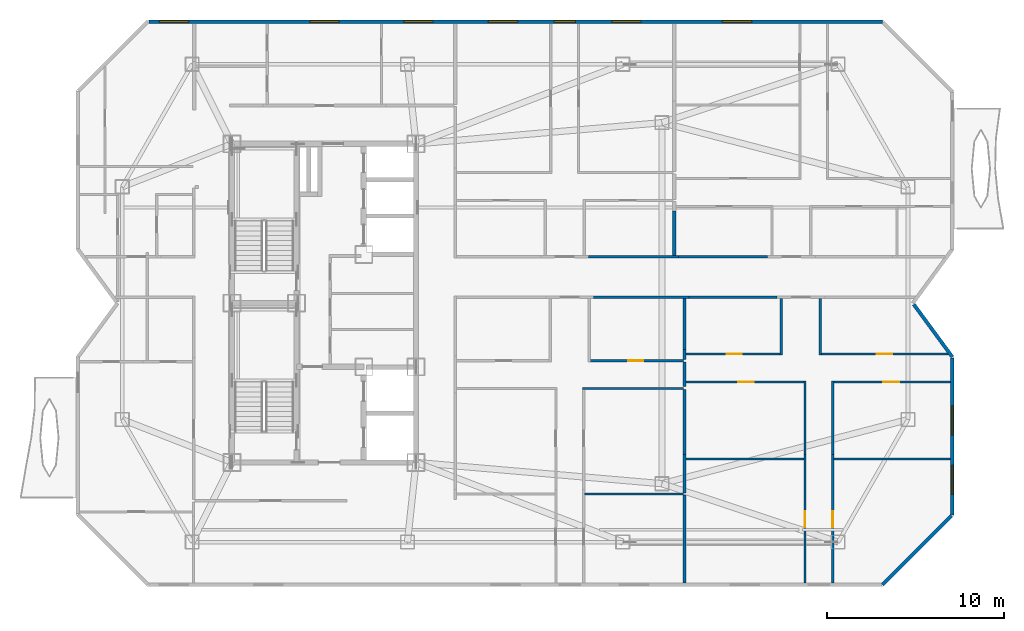
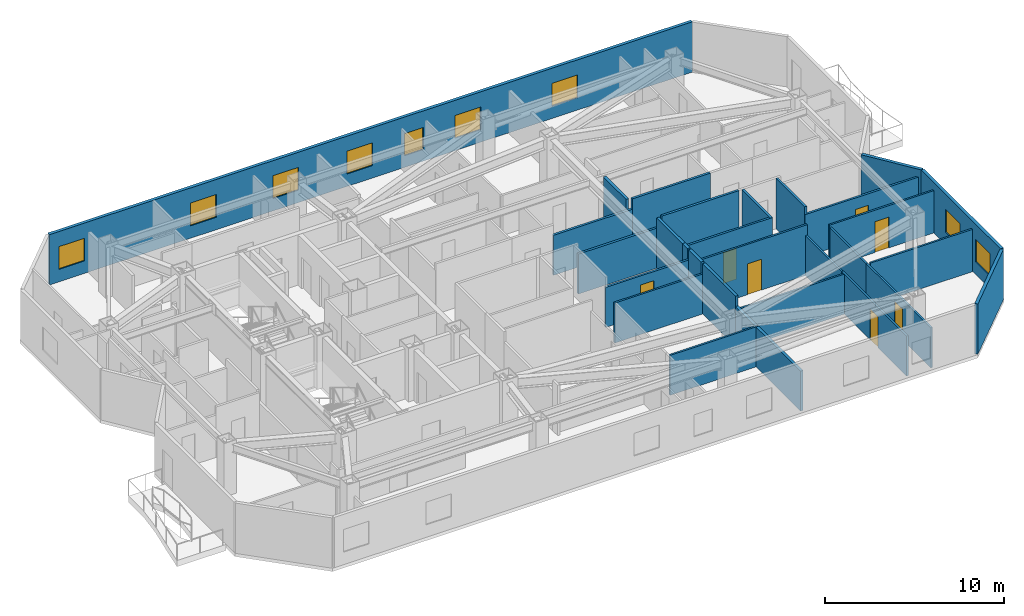
# One storey, part 7 of 10: 30 walls, 9 windows, 7 doors, 16 openings.
"""IFC4 building model written with IfcOpenShell, lengths in metres."""

from ifc_helpers import new_model, si_unit, direction, frame, frame_2d, origin, place, context, subcontext, project, spatial, rectangle, extrude, material, layer, layer_set, type_object, element, fill, save


model = new_model("IFC4")

# Units and contexts
model_context = context("Model", 3, precision=1e-05, world=origin(), true_north=direction((0.0, 1.0)))
body_context = subcontext(model_context, "Body", "Model", "MODEL_VIEW")
ifc_project = project(units=[si_unit("LENGTHUNIT", "METRE"), si_unit("AREAUNIT", "SQUARE_METRE"), si_unit("VOLUMEUNIT", "CUBIC_METRE"), si_unit("PLANEANGLEUNIT", "RADIAN"), si_unit("MASSUNIT", "GRAM", prefix="KILO")], contexts=[model_context])

# Site, building, storey
site_placement = place(None, origin())
site = spatial("IfcSite", under=ifc_project, at=site_placement, CompositionType="ELEMENT")
building_placement = place(site_placement, origin())
building = spatial("IfcBuilding", under=site, at=building_placement, Name="Khamvora Tower", CompositionType="ELEMENT")
storey_placement = place(building_placement, frame((0.0, 0.0, 250.050048828125)))
storey = spatial("IfcBuildingStorey", under=building, at=storey_placement, Name="L64", CompositionType="ELEMENT", Elevation=250.050048828125)

# Walls
ifc_material_1 = material(Name="Fire-Rated Drywall and Steel Stud", Category="steel")
ifc_layer_1 = layer(ifc_material_1, 0.14990234375)
ifc_layer_set_1 = layer_set([ifc_layer_1], Name="Fire-Rated Drywall and Steel Stud")
wall_type_1 = type_object("IfcWallType", Name="WAL-CORR-150", PredefinedType="STANDARD", material=ifc_layer_set_1)
wall_1_placement = place(storey_placement, frame((54.81396484375, 28.3349609375, 0.0), z_axis=(0.0, 0.0, 1.0), x_axis=(-1.0, 0.0, 0.0)))
element("IfcWall", 1, at=wall_1_placement, inside=storey, type_object=wall_type_1, Name="L64 interior partition wall 023", PredefinedType="STANDARD", context=body_context, shape_type="SweptSolid", body=[
    extrude(rectangle(XDim=5.375, YDim=0.14990234375, at=frame_2d((2.6875, 0.0))), origin(), (0.0, 0.0, 1.0), 2.724853515625),
])
wall_2_placement = place(storey_placement, frame((59.7958984375, 28.3349609375, 0.0), z_axis=(0.0, 0.0, 1.0), x_axis=(-1.0, 0.0, 0.0)))
element("IfcWall", 2, at=wall_2_placement, inside=storey, type_object=wall_type_1, Name="L64 interior partition wall 027", PredefinedType="STANDARD", context=body_context, shape_type="SweptSolid", body=[
    extrude(rectangle(XDim=4.98193359375, YDim=0.14990234375, at=frame_2d((2.490966796875, 0.0))), origin(), (0.0, 0.0, 1.0), 3.429931640625),
])
wall_3_placement = place(storey_placement, frame((49.14892578125, 30.614990234375, 0.0), z_axis=(0.0, 0.0, 1.0), x_axis=(1.0, 0.0, 0.0)))
element("IfcWall", 3, at=wall_3_placement, inside=storey, type_object=wall_type_1, Name="L64 interior partition wall 033", PredefinedType="STANDARD", context=body_context, shape_type="SweptSolid", body=[
    extrude(rectangle(XDim=5.0849609375, YDim=0.14990234375, at=frame_2d((2.54248046875, 0.0))), origin(), (0.0, 0.0, 1.0), 2.724853515625),
])
wall_4_placement = place(storey_placement, frame((54.23388671875, 30.614990234375, 0.0), z_axis=(0.0, 0.0, 1.0), x_axis=(1.0, 0.0, 0.0)))
element("IfcWall", 4, at=wall_4_placement, inside=storey, type_object=wall_type_1, Name="L64 interior partition wall 038", PredefinedType="STANDARD", context=body_context, shape_type="SweptSolid", body=[
    extrude(rectangle(XDim=5.030029296875, YDim=0.14990234375, at=frame_2d((2.51513671875, 0.0))), origin(), (0.0, 0.0, 1.0), 3.429931640625),
])
ifc_material_2 = material(Name="Acoustic Double-Stud Fire Wall", Category="gypsum")
ifc_layer_2 = layer(ifc_material_2, 0.179931640625)
ifc_layer_set_2 = layer_set([ifc_layer_2], Name="Acoustic Double-Stud Fire Wall")
wall_type_2 = type_object("IfcWallType", Name="WAL-CORR-180", PredefinedType="STANDARD", material=ifc_layer_set_2)
wall_5_placement = place(storey_placement, frame((54.56494140625, 24.68994140625, 0.0), z_axis=(0.0, 0.0, 1.0), x_axis=(0.0, -1.0, 0.0)))
element("IfcWall", 5, at=wall_5_placement, inside=storey, type_object=wall_type_2, Name="L64 interior partition wall 068", PredefinedType="STANDARD", context=body_context, shape_type="SweptSolid", body=[
    extrude(rectangle(XDim=1.392822265625, YDim=0.179931640625, at=frame_2d((0.6962890625, 0.0))), origin(), (0.0, 0.0, 1.0), 3.429931640625),
])
wall_6_placement = place(storey_placement, frame((54.56494140625, 25.375, 0.0), z_axis=(0.0, 0.0, 1.0), x_axis=(0.0, -1.0, 0.0)))
element("IfcWall", 6, at=wall_6_placement, inside=storey, type_object=wall_type_2, Name="L64 interior partition wall 069", PredefinedType="STANDARD", context=body_context, shape_type="SweptSolid", body=[
    extrude(rectangle(XDim=0.554931640625, YDim=0.179931640625, at=frame_2d((0.27734375, 0.0))), origin(), (0.0, 0.0, 1.0), 3.429931640625),
])
wall_7_placement = place(storey_placement, frame((54.56494140625, 28.27001953125, 0.0), z_axis=(0.0, 0.0, 1.0), x_axis=(0.0, -1.0, 0.0)))
element("IfcWall", 7, at=wall_7_placement, inside=storey, type_object=wall_type_2, Name="L64 interior partition wall 070", PredefinedType="STANDARD", context=body_context, shape_type="SweptSolid", body=[
    extrude(rectangle(XDim=2.89501953125, YDim=0.179931640625, at=frame_2d((1.447509765625, 0.0))), origin(), (0.0, 0.0, 1.0), 3.429931640625),
])
wall_8_placement = place(storey_placement, frame((54.56494140625, 17.155029296875, 0.0), z_axis=(0.0, 0.0, 1.0), x_axis=(0.0, -1.0, 0.0)))
element("IfcWall", 8, at=wall_8_placement, inside=storey, type_object=wall_type_2, Name="L64 interior partition wall 073", PredefinedType="STANDARD", context=body_context, shape_type="SweptSolid", body=[
    extrude(rectangle(XDim=4.963134765625, YDim=0.179931640625, at=frame_2d((2.4814453125, 0.0))), origin(), (0.0, 0.0, 1.0), 2.724853515625),
])
wall_9_placement = place(storey_placement, frame((54.56494140625, 19.455078125, 0.0), z_axis=(0.0, 0.0, 1.0), x_axis=(0.0, -1.0, 0.0)))
element("IfcWall", 9, at=wall_9_placement, inside=storey, type_object=wall_type_2, Name="L64 interior partition wall 074", PredefinedType="STANDARD", context=body_context, shape_type="SweptSolid", body=[
    extrude(rectangle(XDim=2.170166015625, YDim=0.179931640625, at=frame_2d((1.0849609375, 0.0))), origin(), (0.0, 0.0, 1.0), 2.724853515625),
])
wall_10_placement = place(storey_placement, frame((54.56494140625, 23.110107421875, 0.0), z_axis=(0.0, 0.0, 1.0), x_axis=(0.0, -1.0, 0.0)))
element("IfcWall", 10, at=wall_10_placement, inside=storey, type_object=wall_type_2, Name="L64 interior partition wall 075", PredefinedType="STANDARD", context=body_context, shape_type="SweptSolid", body=[
    extrude(rectangle(XDim=3.655029296875, YDim=0.179931640625, at=frame_2d((1.82763671875, 0.0))), origin(), (0.0, 0.0, 1.0), 3.429931640625),
])
wall_11_placement = place(storey_placement, frame((53.985107421875, 33.214111328125, 0.0), z_axis=(0.0, 0.0, 1.0), x_axis=(0.0, -1.0, 0.0)))
element("IfcWall", 11, at=wall_11_placement, inside=storey, type_object=wall_type_2, Name="L64 interior partition wall 098", PredefinedType="STANDARD", context=body_context, shape_type="SweptSolid", body=[
    extrude(rectangle(XDim=2.5341796875, YDim=0.179931640625, at=frame_2d((1.26708984375, 0.0))), origin(), (0.0, 0.0, 1.0), 3.429931640625),
])

# Wall, openings, windows
ifc_material_3 = material(Name="Precast concrete C40/50", Category="concrete")
ifc_layer_3 = layer(ifc_material_3, 0.199951171875)
ifc_layer_set_3 = layer_set([ifc_layer_3], Name="Precast concrete C40/50")
wall_type_3 = type_object("IfcWallType", Name="WAL-EXT-200", PredefinedType="STANDARD", material=ifc_layer_set_3)
wall_12_placement = place(storey_placement, frame((24.302001953125, 43.89990234375, 0.0), z_axis=(0.0, 0.0, 1.0), x_axis=(1.0, 0.0, 0.0)))
wall_12 = element("IfcWall", 12, at=wall_12_placement, inside=storey, type_object=wall_type_3, Name="L64 exterior facade wall 07.1", PredefinedType="STANDARD", context=body_context, shape_type="SweptSolid", body=[
    extrude(rectangle(XDim=41.45703125, YDim=0.199951171875, at=frame_2d((20.728515625, 0.0))), origin(), (0.0, 0.0, 1.0), 3.429931640625),
])
opening_1_placement = place(wall_12_placement, frame((0.60400390625, 0.0, 0.85009765625)))
opening_1 = element("IfcOpeningElement", 13, at=opening_1_placement, cuts=wall_12, Name="Opening WN-06", PredefinedType="OPENING", context=body_context, shape_type="SweptSolid", body=[
    extrude(rectangle(XDim=1.64990234375, YDim=1.550048828125, at=frame_2d((0.824951171875, 0.77490234375))), frame((0.0, 0.10986328125, 0.0), z_axis=(0.0, -1.0, 0.0), x_axis=(1.0, 0.0, 0.0)), (0.0, 0.0, 1.0), 0.219970703125),
])
opening_2_placement = place(wall_12_placement, frame((9.097900390625, 0.0, 0.85009765625)))
opening_2 = element("IfcOpeningElement", 14, at=opening_2_placement, cuts=wall_12, Name="Opening WN-06", PredefinedType="OPENING", context=body_context, shape_type="SweptSolid", body=[
    extrude(rectangle(XDim=1.64990234375, YDim=1.550048828125, at=frame_2d((0.824951171875, 0.77490234375))), frame((0.0, 0.10986328125, 0.0), z_axis=(0.0, -1.0, 0.0), x_axis=(1.0, 0.0, 0.0)), (0.0, 0.0, 1.0), 0.219970703125),
])
opening_3_placement = place(wall_12_placement, frame((14.405029296875, 0.0, 0.85009765625)))
opening_3 = element("IfcOpeningElement", 15, at=opening_3_placement, cuts=wall_12, Name="Opening WN-06", PredefinedType="OPENING", context=body_context, shape_type="SweptSolid", body=[
    extrude(rectangle(XDim=1.64990234375, YDim=1.550048828125, at=frame_2d((0.824951171875, 0.77490234375))), frame((0.0, 0.10986328125, 0.0), z_axis=(0.0, -1.0, 0.0), x_axis=(1.0, 0.0, 0.0)), (0.0, 0.0, 1.0), 0.219970703125),
])
opening_4_placement = place(wall_12_placement, frame((22.89794921875, 0.0, 0.800048828125)))
opening_4 = element("IfcOpeningElement", 16, at=opening_4_placement, cuts=wall_12, Name="Opening WN-03", PredefinedType="OPENING", context=body_context, shape_type="SweptSolid", body=[
    extrude(rectangle(XDim=1.199951171875, YDim=1.5, at=frame_2d((0.60009765625, 0.75))), frame((0.0, 0.10986328125, 0.0), z_axis=(0.0, -1.0, 0.0), x_axis=(1.0, 0.0, 0.0)), (0.0, 0.0, 1.0), 0.219970703125),
])
opening_5_placement = place(wall_12_placement, frame((19.18798828125, 0.0, 0.85009765625)))
opening_5 = element("IfcOpeningElement", 17, at=opening_5_placement, cuts=wall_12, Name="Opening WN-06", PredefinedType="OPENING", context=body_context, shape_type="SweptSolid", body=[
    extrude(rectangle(XDim=1.64990234375, YDim=1.550048828125, at=frame_2d((0.824951171875, 0.77490234375))), frame((0.0, 0.10986328125, 0.0), z_axis=(0.0, -1.0, 0.0), x_axis=(1.0, 0.0, 0.0)), (0.0, 0.0, 1.0), 0.219970703125),
])
opening_6_placement = place(wall_12_placement, frame((26.157958984375, 0.0, 0.85009765625)))
opening_6 = element("IfcOpeningElement", 18, at=opening_6_placement, cuts=wall_12, Name="Opening WN-06", PredefinedType="OPENING", context=body_context, shape_type="SweptSolid", body=[
    extrude(rectangle(XDim=1.64990234375, YDim=1.550048828125, at=frame_2d((0.824951171875, 0.77490234375))), frame((0.0, 0.10986328125, 0.0), z_axis=(0.0, -1.0, 0.0), x_axis=(1.0, 0.0, 0.0)), (0.0, 0.0, 1.0), 0.219970703125),
])
opening_7_placement = place(wall_12_placement, frame((32.407958984375, 0.0, 0.85009765625)))
opening_7 = element("IfcOpeningElement", 19, at=opening_7_placement, cuts=wall_12, Name="Opening WN-06", PredefinedType="OPENING", context=body_context, shape_type="SweptSolid", body=[
    extrude(rectangle(XDim=1.64990234375, YDim=1.550048828125, at=frame_2d((0.824951171875, 0.77490234375))), frame((0.0, 0.10986328125, 0.0), z_axis=(0.0, -1.0, 0.0), x_axis=(1.0, 0.0, 0.0)), (0.0, 0.0, 1.0), 0.219970703125),
])
ifc_material_4 = material(Name="Low-E Laminated Double Glazing", Category="glass")
window_type_1 = type_object("IfcWindowType", Name="WIN-VIS-1200x1500", PartitioningType="SINGLE_PANEL", PredefinedType="WINDOW", material=ifc_material_4)
window_1_placement = place(opening_4_placement, origin())
window_1 = element("IfcWindow", 20, at=window_1_placement, inside=storey, type_object=window_type_1, Name="L64 vision window 07.1.04", OverallHeight=1.5, OverallWidth=1.199951171875, PartitioningType="SINGLE_PANEL", PredefinedType="WINDOW", context=body_context, shape_type="SweptSolid", body=[
    extrude(rectangle(XDim=1.199951171875, YDim=1.5, at=frame_2d((0.60009765625, 0.75))), frame((0.0, 0.030029296875, 0.0), z_axis=(0.0, -1.0, 0.0), x_axis=(1.0, 0.0, 0.0)), (0.0, 0.0, 1.0), 0.06005859375),
])
fill(opening_4, window_1)
window_type_2 = type_object("IfcWindowType", Name="WIN-VIS-1650x1550", PartitioningType="SINGLE_PANEL", PredefinedType="WINDOW", material=ifc_material_4)
window_2_placement = place(opening_1_placement, origin())
window_2 = element("IfcWindow", 21, at=window_2_placement, inside=storey, type_object=window_type_2, Name="L64 vision window 07.1.01", OverallHeight=1.550048828125, OverallWidth=1.64990234375, PartitioningType="SINGLE_PANEL", PredefinedType="WINDOW", context=body_context, shape_type="SweptSolid", body=[
    extrude(rectangle(XDim=1.64990234375, YDim=1.550048828125, at=frame_2d((0.824951171875, 0.77490234375))), frame((0.0, 0.030029296875, 0.0), z_axis=(0.0, -1.0, 0.0), x_axis=(1.0, 0.0, 0.0)), (0.0, 0.0, 1.0), 0.06005859375),
])
fill(opening_1, window_2)
window_3_placement = place(opening_2_placement, origin())
window_3 = element("IfcWindow", 22, at=window_3_placement, inside=storey, type_object=window_type_2, Name="L64 vision window 07.1.02", OverallHeight=1.550048828125, OverallWidth=1.64990234375, PartitioningType="SINGLE_PANEL", PredefinedType="WINDOW", context=body_context, shape_type="SweptSolid", body=[
    extrude(rectangle(XDim=1.64990234375, YDim=1.550048828125, at=frame_2d((0.824951171875, 0.77490234375))), frame((0.0, 0.030029296875, 0.0), z_axis=(0.0, -1.0, 0.0), x_axis=(1.0, 0.0, 0.0)), (0.0, 0.0, 1.0), 0.06005859375),
])
fill(opening_2, window_3)
window_4_placement = place(opening_3_placement, origin())
window_4 = element("IfcWindow", 23, at=window_4_placement, inside=storey, type_object=window_type_2, Name="L64 vision window 07.1.03", OverallHeight=1.550048828125, OverallWidth=1.64990234375, PartitioningType="SINGLE_PANEL", PredefinedType="WINDOW", context=body_context, shape_type="SweptSolid", body=[
    extrude(rectangle(XDim=1.64990234375, YDim=1.550048828125, at=frame_2d((0.824951171875, 0.77490234375))), frame((0.0, 0.030029296875, 0.0), z_axis=(0.0, -1.0, 0.0), x_axis=(1.0, 0.0, 0.0)), (0.0, 0.0, 1.0), 0.06005859375),
])
fill(opening_3, window_4)
window_5_placement = place(opening_5_placement, origin())
window_5 = element("IfcWindow", 24, at=window_5_placement, inside=storey, type_object=window_type_2, Name="L64 vision window 07.1.05", OverallHeight=1.550048828125, OverallWidth=1.64990234375, PartitioningType="SINGLE_PANEL", PredefinedType="WINDOW", context=body_context, shape_type="SweptSolid", body=[
    extrude(rectangle(XDim=1.64990234375, YDim=1.550048828125, at=frame_2d((0.824951171875, 0.77490234375))), frame((0.0, 0.030029296875, 0.0), z_axis=(0.0, -1.0, 0.0), x_axis=(1.0, 0.0, 0.0)), (0.0, 0.0, 1.0), 0.06005859375),
])
fill(opening_5, window_5)
window_6_placement = place(opening_6_placement, origin())
window_6 = element("IfcWindow", 25, at=window_6_placement, inside=storey, type_object=window_type_2, Name="L64 vision window 07.1.06", OverallHeight=1.550048828125, OverallWidth=1.64990234375, PartitioningType="SINGLE_PANEL", PredefinedType="WINDOW", context=body_context, shape_type="SweptSolid", body=[
    extrude(rectangle(XDim=1.64990234375, YDim=1.550048828125, at=frame_2d((0.824951171875, 0.77490234375))), frame((0.0, 0.030029296875, 0.0), z_axis=(0.0, -1.0, 0.0), x_axis=(1.0, 0.0, 0.0)), (0.0, 0.0, 1.0), 0.06005859375),
])
fill(opening_6, window_6)
window_7_placement = place(opening_7_placement, origin())
window_7 = element("IfcWindow", 26, at=window_7_placement, inside=storey, type_object=window_type_2, Name="L64 vision window 07.1.07", OverallHeight=1.550048828125, OverallWidth=1.64990234375, PartitioningType="SINGLE_PANEL", PredefinedType="WINDOW", context=body_context, shape_type="SweptSolid", body=[
    extrude(rectangle(XDim=1.64990234375, YDim=1.550048828125, at=frame_2d((0.824951171875, 0.77490234375))), frame((0.0, 0.030029296875, 0.0), z_axis=(0.0, -1.0, 0.0), x_axis=(1.0, 0.0, 0.0)), (0.0, 0.0, 1.0), 0.06005859375),
])
fill(opening_7, window_7)

# Wall
wall_13_placement = place(storey_placement, frame((67.527099609375, 27.930908203125, 0.0), z_axis=(0.0, 0.0, 1.0), x_axis=(0.591248456881, -0.80648946815, 0.0)))
element("IfcWall", 27, at=wall_13_placement, inside=storey, type_object=wall_type_3, Name="L64 exterior facade wall 11.1", PredefinedType="STANDARD", context=body_context, shape_type="SweptSolid", body=[
    extrude(rectangle(XDim=3.675048828125, YDim=0.199951171875, at=frame_2d((1.83740234375, 0.0))), origin(), (0.0, 0.0, 1.0), 3.429931640625),
])

# Wall, openings, windows
wall_14_placement = place(storey_placement, frame((69.699951171875, 24.916015625, 0.0), z_axis=(0.0, 0.0, 1.0), x_axis=(0.0, -1.0, 0.0)))
wall_14 = element("IfcWall", 28, at=wall_14_placement, inside=storey, type_object=wall_type_3, Name="L64 exterior facade wall 12.1", PredefinedType="STANDARD", context=body_context, shape_type="SweptSolid", body=[
    extrude(rectangle(XDim=8.875, YDim=0.199951171875, at=frame_2d((4.4375, 0.0))), origin(), (0.0, 0.0, 1.0), 3.429931640625),
])
opening_8_placement = place(wall_14_placement, frame((6.074951171875, 0.0, 0.85009765625)))
opening_8 = element("IfcOpeningElement", 29, at=opening_8_placement, cuts=wall_14, Name="Opening WN-06", PredefinedType="OPENING", context=body_context, shape_type="SweptSolid", body=[
    extrude(rectangle(XDim=1.64990234375, YDim=1.550048828125, at=frame_2d((0.824951171875, 0.77490234375))), frame((0.0, 0.10986328125, 0.0), z_axis=(0.0, -1.0, 0.0), x_axis=(1.0, 0.0, 0.0)), (0.0, 0.0, 1.0), 0.219970703125),
])
opening_9_placement = place(wall_14_placement, frame((2.715087890625, 0.0, 0.85009765625)))
opening_9 = element("IfcOpeningElement", 30, at=opening_9_placement, cuts=wall_14, Name="Opening WN-06", PredefinedType="OPENING", context=body_context, shape_type="SweptSolid", body=[
    extrude(rectangle(XDim=1.64990234375, YDim=1.550048828125, at=frame_2d((0.824951171875, 0.77490234375))), frame((0.0, 0.10986328125, 0.0), z_axis=(0.0, -1.0, 0.0), x_axis=(1.0, 0.0, 0.0)), (0.0, 0.0, 1.0), 0.219970703125),
])
window_8_placement = place(opening_8_placement, origin())
window_8 = element("IfcWindow", 31, at=window_8_placement, inside=storey, type_object=window_type_2, Name="L64 vision window 12.1.01", OverallHeight=1.550048828125, OverallWidth=1.64990234375, PartitioningType="SINGLE_PANEL", PredefinedType="WINDOW", context=body_context, shape_type="SweptSolid", body=[
    extrude(rectangle(XDim=1.64990234375, YDim=1.550048828125, at=frame_2d((0.824951171875, 0.77490234375))), frame((0.0, 0.030029296875, 0.0), z_axis=(0.0, -1.0, 0.0), x_axis=(1.0, 0.0, 0.0)), (0.0, 0.0, 1.0), 0.06005859375),
])
fill(opening_8, window_8)
window_9_placement = place(opening_9_placement, origin())
window_9 = element("IfcWindow", 32, at=window_9_placement, inside=storey, type_object=window_type_2, Name="L64 vision window 12.1.02", OverallHeight=1.550048828125, OverallWidth=1.64990234375, PartitioningType="SINGLE_PANEL", PredefinedType="WINDOW", context=body_context, shape_type="SweptSolid", body=[
    extrude(rectangle(XDim=1.64990234375, YDim=1.550048828125, at=frame_2d((0.824951171875, 0.77490234375))), frame((0.0, 0.030029296875, 0.0), z_axis=(0.0, -1.0, 0.0), x_axis=(1.0, 0.0, 0.0)), (0.0, 0.0, 1.0), 0.06005859375),
])
fill(opening_9, window_9)

# Walls
wall_15_placement = place(storey_placement, frame((69.655029296875, 15.99609375, 0.0), z_axis=(0.0, 0.0, 1.0), x_axis=(-0.707106781187, -0.707106781187, 0.0)))
element("IfcWall", 33, at=wall_15_placement, inside=storey, type_object=wall_type_3, Name="L64 exterior facade wall 13.1", PredefinedType="STANDARD", context=body_context, shape_type="SweptSolid", body=[
    extrude(rectangle(XDim=5.509765625, YDim=0.199951171875, at=frame_2d((2.7548828125, 0.0))), origin(), (0.0, 0.0, 1.0), 3.429931640625),
])
ifc_material_5 = material(Name="Gypsum Plasterboard Partition", Category="gypsum")
ifc_layer_4 = layer(ifc_material_5, 0.1201171875)
ifc_layer_set_4 = layer_set([ifc_layer_4], Name="Gypsum Plasterboard Partition")
wall_type_4 = type_object("IfcWallType", Name="WAL-PART-120", PredefinedType="PARTITIONING", material=ifc_layer_set_4)
wall_16_placement = place(storey_placement, frame((54.5, 23.175048828125, 0.0), z_axis=(0.0, 0.0, 1.0), x_axis=(-1.0, 0.0, 0.0)))
element("IfcWall", 34, at=wall_16_placement, inside=storey, type_object=wall_type_4, Name="L64 interior partition wall 067", PredefinedType="PARTITIONING", context=body_context, shape_type="SweptSolid", body=[
    extrude(rectangle(XDim=5.68994140625, YDim=0.1201171875, at=frame_2d((2.844970703125, 0.0))), origin(), (0.0, 0.0, 1.0), 2.724853515625),
])
wall_17_placement = place(storey_placement, frame((48.928955078125, 17.219970703125, 0.0), z_axis=(0.0, 0.0, 1.0), x_axis=(1.0, 0.0, 0.0)))
element("IfcWall", 35, at=wall_17_placement, inside=storey, type_object=wall_type_4, Name="L64 interior partition wall 072", PredefinedType="PARTITIONING", context=body_context, shape_type="SweptSolid", body=[
    extrude(rectangle(XDim=5.571044921875, YDim=0.1201171875, at=frame_2d((2.78564453125, 0.0))), origin(), (0.0, 0.0, 1.0), 2.724853515625),
])

# Wall, opening, door
wall_18_placement = place(storey_placement, frame((61.375, 12.19189453125, 0.0), z_axis=(0.0, 0.0, 1.0), x_axis=(0.0, 1.0, 0.0)))
wall_18 = element("IfcWall", 36, at=wall_18_placement, inside=storey, type_object=wall_type_4, Name="L64 interior partition wall 080", PredefinedType="PARTITIONING", context=body_context, shape_type="SweptSolid", body=[
    extrude(rectangle(XDim=7.26318359375, YDim=0.1201171875, at=frame_2d((3.631591796875, 0.0))), origin(), (0.0, 0.0, 1.0), 2.724853515625),
])
opening_10_placement = place(wall_18_placement, frame((3.159912109375, 0.0, 0.0)))
opening_10 = element("IfcOpeningElement", 37, at=opening_10_placement, cuts=wall_18, Name="Opening D-RM1", PredefinedType="OPENING", context=body_context, shape_type="SweptSolid", body=[
    extrude(rectangle(XDim=0.89990234375, YDim=2.10009765625, at=frame_2d((0.449951171875, 1.050048828125))), frame((0.0, 0.070068359375, 0.0), z_axis=(0.0, -1.0, 0.0), x_axis=(1.0, 0.0, 0.0)), (0.0, 0.0, 1.0), 0.14013671875),
])
ifc_material_6 = material(Name="Powder-Coated Steel and Hardwood Leaf", Category="steel")
door_type_1 = type_object("IfcDoorType", Name="DOR-ROOM-900", OperationType="NOTDEFINED", PredefinedType="DOOR", material=ifc_material_6)
door_1_placement = place(opening_10_placement, origin())
door_1 = element("IfcDoor", 38, at=door_1_placement, inside=storey, type_object=door_type_1, Name="L64 interior door 64EA2H-64EA2R1", OperationType="SINGLE_SWING_LEFT", OverallHeight=2.10009765625, OverallWidth=0.89990234375, PredefinedType="DOOR", context=body_context, shape_type="SweptSolid", body=[
    extrude(rectangle(XDim=0.89990234375, YDim=2.10009765625, at=frame_2d((0.449951171875, 1.050048828125))), frame((0.0, 0.02490234375, 0.0), z_axis=(0.0, -1.0, 0.0), x_axis=(1.0, 0.0, 0.0)), (0.0, 0.0, 1.0), 0.050048828125),
])
fill(opening_10, door_1)

# Wall
wall_19_placement = place(storey_placement, frame((61.375, 19.455078125, 0.0), z_axis=(0.0, 0.0, 1.0), x_axis=(0.0, 1.0, 0.0)))
element("IfcWall", 39, at=wall_19_placement, inside=storey, type_object=wall_type_4, Name="L64 interior partition wall 081", PredefinedType="PARTITIONING", context=body_context, shape_type="SweptSolid", body=[
    extrude(rectangle(XDim=4.156005859375, YDim=0.1201171875, at=frame_2d((2.078125, 0.0))), origin(), (0.0, 0.0, 1.0), 2.724853515625),
])

# Wall, opening, door
wall_20_placement = place(storey_placement, frame((61.43994140625, 23.5458984375, 0.0), z_axis=(0.0, 0.0, 1.0), x_axis=(-1.0, 0.0, 0.0)))
wall_20 = element("IfcWall", 40, at=wall_20_placement, inside=storey, type_object=wall_type_4, Name="L64 interior partition wall 082", PredefinedType="PARTITIONING", context=body_context, shape_type="SweptSolid", body=[
    extrude(rectangle(XDim=6.79296875, YDim=0.1201171875, at=frame_2d((3.396484375, 0.0))), origin(), (0.0, 0.0, 1.0), 3.429931640625),
])
opening_11_placement = place(wall_20_placement, frame((2.946044921875, 0.0, 0.0)))
opening_11 = element("IfcOpeningElement", 41, at=opening_11_placement, cuts=wall_20, Name="Opening D-RM1", PredefinedType="OPENING", context=body_context, shape_type="SweptSolid", body=[
    extrude(rectangle(XDim=0.89990234375, YDim=2.10009765625, at=frame_2d((0.449951171875, 1.050048828125))), frame((0.0, 0.070068359375, 0.0), z_axis=(0.0, -1.0, 0.0), x_axis=(1.0, 0.0, 0.0)), (0.0, 0.0, 1.0), 0.14013671875),
])
door_2_placement = place(opening_11_placement, origin())
door_2 = element("IfcDoor", 42, at=door_2_placement, inside=storey, type_object=door_type_1, Name="L64 interior door 64EA2H-64EA2R2", OperationType="SINGLE_SWING_RIGHT", OverallHeight=2.10009765625, OverallWidth=0.89990234375, PredefinedType="DOOR", context=body_context, shape_type="SweptSolid", body=[
    extrude(rectangle(XDim=0.89990234375, YDim=2.10009765625, at=frame_2d((0.449951171875, 1.050048828125))), frame((0.0, 0.02490234375, 0.0), z_axis=(0.0, -1.0, 0.0), x_axis=(1.0, 0.0, 0.0)), (0.0, 0.0, 1.0), 0.050048828125),
])
fill(opening_11, door_2)

wall_21_placement = place(storey_placement, frame((62.945068359375, 19.455078125, 0.0), z_axis=(0.0, 0.0, 1.0), x_axis=(0.0, -1.0, 0.0)))
wall_21 = element("IfcWall", 43, at=wall_21_placement, inside=storey, type_object=wall_type_4, Name="L64 interior partition wall 083", PredefinedType="PARTITIONING", context=body_context, shape_type="SweptSolid", body=[
    extrude(rectangle(XDim=7.26318359375, YDim=0.1201171875, at=frame_2d((3.631591796875, 0.0))), origin(), (0.0, 0.0, 1.0), 2.724853515625),
])
opening_12_placement = place(wall_21_placement, frame((3.201904296875, 0.0, 0.0)))
opening_12 = element("IfcOpeningElement", 44, at=opening_12_placement, cuts=wall_21, Name="Opening D-RM1", PredefinedType="OPENING", context=body_context, shape_type="SweptSolid", body=[
    extrude(rectangle(XDim=0.89990234375, YDim=2.10009765625, at=frame_2d((0.449951171875, 1.050048828125))), frame((0.0, 0.070068359375, 0.0), z_axis=(0.0, -1.0, 0.0), x_axis=(1.0, 0.0, 0.0)), (0.0, 0.0, 1.0), 0.14013671875),
])
door_3_placement = place(opening_12_placement, origin())
door_3 = element("IfcDoor", 45, at=door_3_placement, inside=storey, type_object=door_type_1, Name="L64 interior door 64EA2H-64EA2R3", OperationType="SINGLE_SWING_LEFT", OverallHeight=2.10009765625, OverallWidth=0.89990234375, PredefinedType="DOOR", context=body_context, shape_type="SweptSolid", body=[
    extrude(rectangle(XDim=0.89990234375, YDim=2.10009765625, at=frame_2d((0.449951171875, 1.050048828125))), frame((0.0, 0.02490234375, 0.0), z_axis=(0.0, -1.0, 0.0), x_axis=(1.0, 0.0, 0.0)), (0.0, 0.0, 1.0), 0.050048828125),
])
fill(opening_12, door_3)

# Wall
wall_22_placement = place(storey_placement, frame((62.945068359375, 23.611083984375, 0.0), z_axis=(0.0, 0.0, 1.0), x_axis=(0.0, -1.0, 0.0)))
element("IfcWall", 46, at=wall_22_placement, inside=storey, type_object=wall_type_4, Name="L64 interior partition wall 084", PredefinedType="PARTITIONING", context=body_context, shape_type="SweptSolid", body=[
    extrude(rectangle(XDim=4.156005859375, YDim=0.1201171875, at=frame_2d((2.078125, 0.0))), origin(), (0.0, 0.0, 1.0), 2.724853515625),
])

# Wall, opening, door
wall_23_placement = place(storey_placement, frame((69.60791015625, 23.5458984375, 0.0), z_axis=(0.0, 0.0, 1.0), x_axis=(-1.0, 0.0, 0.0)))
wall_23 = element("IfcWall", 47, at=wall_23_placement, inside=storey, type_object=wall_type_4, Name="L64 interior partition wall 085", PredefinedType="PARTITIONING", context=body_context, shape_type="SweptSolid", body=[
    extrude(rectangle(XDim=6.72802734375, YDim=0.1201171875, at=frame_2d((3.364013671875, 0.0))), origin(), (0.0, 0.0, 1.0), 2.886962890625),
])
opening_13_placement = place(wall_23_placement, frame((2.9140625, 0.0, 0.0)))
opening_13 = element("IfcOpeningElement", 48, at=opening_13_placement, cuts=wall_23, Name="Opening D-RM1", PredefinedType="OPENING", context=body_context, shape_type="SweptSolid", body=[
    extrude(rectangle(XDim=0.89990234375, YDim=2.10009765625, at=frame_2d((0.449951171875, 1.050048828125))), frame((0.0, 0.070068359375, 0.0), z_axis=(0.0, -1.0, 0.0), x_axis=(1.0, 0.0, 0.0)), (0.0, 0.0, 1.0), 0.14013671875),
])
door_4_placement = place(opening_13_placement, origin())
door_4 = element("IfcDoor", 49, at=door_4_placement, inside=storey, type_object=door_type_1, Name="L64 interior door 64EA2H-64EA2R4", OperationType="SINGLE_SWING_RIGHT", OverallHeight=2.10009765625, OverallWidth=0.89990234375, PredefinedType="DOOR", context=body_context, shape_type="SweptSolid", body=[
    extrude(rectangle(XDim=0.89990234375, YDim=2.10009765625, at=frame_2d((0.449951171875, 1.050048828125))), frame((0.0, 0.02490234375, 0.0), z_axis=(0.0, -1.0, 0.0), x_axis=(1.0, 0.0, 0.0)), (0.0, 0.0, 1.0), 0.050048828125),
])
fill(opening_13, door_4)

# Walls
wall_24_placement = place(storey_placement, frame((54.64697265625, 19.2060546875, 0.0), z_axis=(0.0, 0.0, 1.0), x_axis=(1.0, 0.0, 0.0)))
element("IfcWall", 50, at=wall_24_placement, inside=storey, type_object=wall_type_4, Name="L64 interior partition wall 086", PredefinedType="PARTITIONING", context=body_context, shape_type="SweptSolid", body=[
    extrude(rectangle(XDim=6.674072265625, YDim=0.1201171875, at=frame_2d((3.3369140625, 0.0))), origin(), (0.0, 0.0, 1.0), 2.724853515625),
])
wall_25_placement = place(storey_placement, frame((62.9990234375, 19.2060546875, 0.0), z_axis=(0.0, 0.0, 1.0), x_axis=(1.0, 0.0, 0.0)))
element("IfcWall", 51, at=wall_25_placement, inside=storey, type_object=wall_type_4, Name="L64 interior partition wall 087", PredefinedType="PARTITIONING", context=body_context, shape_type="SweptSolid", body=[
    extrude(rectangle(XDim=6.60888671875, YDim=0.1201171875, at=frame_2d((3.304443359375, 0.0))), origin(), (0.0, 0.0, 1.0), 2.886962890625),
])

# Wall, opening, door
ifc_material_7 = material(Name="Moisture-Resistant Plasterboard Partition", Category="gypsum")
ifc_layer_5 = layer(ifc_material_7, 0.135009765625)
ifc_layer_set_5 = layer_set([ifc_layer_5], Name="Moisture-Resistant Plasterboard Partition")
wall_type_5 = type_object("IfcWallType", Name="WAL-WET-135", PredefinedType="PARTITIONING", material=ifc_layer_set_5)
wall_26_placement = place(storey_placement, frame((49.125, 24.7548828125, 0.0), z_axis=(0.0, 0.0, 1.0), x_axis=(1.0, 0.0, 0.0)))
wall_26 = element("IfcWall", 52, at=wall_26_placement, inside=storey, type_object=wall_type_5, Name="L64 interior partition wall 061", PredefinedType="PARTITIONING", context=body_context, shape_type="SweptSolid", body=[
    extrude(rectangle(XDim=5.375, YDim=0.135009765625, at=frame_2d((2.6875, 0.0))), origin(), (0.0, 0.0, 1.0), 2.724853515625),
])
opening_14_placement = place(wall_26_placement, frame((2.262939453125, 0.0, 0.0)))
opening_14 = element("IfcOpeningElement", 53, at=opening_14_placement, cuts=wall_26, Name="Opening D-RM2", PredefinedType="OPENING", context=body_context, shape_type="SweptSolid", body=[
    extrude(rectangle(XDim=0.85009765625, YDim=2.10009765625, at=frame_2d((0.425048828125, 1.050048828125))), frame((0.0, 0.077392578125, 0.0), z_axis=(0.0, -1.0, 0.0), x_axis=(1.0, 0.0, 0.0)), (0.0, 0.0, 1.0), 0.155029296875),
])
door_type_2 = type_object("IfcDoorType", Name="DOR-ROOM-850", OperationType="NOTDEFINED", PredefinedType="DOOR", material=ifc_material_6)
door_5_placement = place(opening_14_placement, origin())
door_5 = element("IfcDoor", 54, at=door_5_placement, inside=storey, type_object=door_type_2, Name="L64 interior door 64EA1H-64EA1K", OperationType="SINGLE_SWING_RIGHT", OverallHeight=2.10009765625, OverallWidth=0.85009765625, PredefinedType="DOOR", context=body_context, shape_type="SweptSolid", body=[
    extrude(rectangle(XDim=0.85009765625, YDim=2.10009765625, at=frame_2d((0.425048828125, 1.050048828125))), frame((0.0, 0.02490234375, 0.0), z_axis=(0.0, -1.0, 0.0), x_axis=(1.0, 0.0, 0.0)), (0.0, 0.0, 1.0), 0.050048828125),
])
fill(opening_14, door_5)

wall_27_placement = place(storey_placement, frame((54.64697265625, 25.1259765625, 0.0), z_axis=(0.0, 0.0, 1.0), x_axis=(1.0, 0.0, 0.0)))
wall_27 = element("IfcWall", 55, at=wall_27_placement, inside=storey, type_object=wall_type_5, Name="L64 interior partition wall 076", PredefinedType="PARTITIONING", context=body_context, shape_type="SweptSolid", body=[
    extrude(rectangle(XDim=5.464111328125, YDim=0.135009765625, at=frame_2d((2.73193359375, 0.0))), origin(), (0.0, 0.0, 1.0), 3.429931640625),
])
opening_15_placement = place(wall_27_placement, frame((2.306884765625, 0.0, 0.0)))
opening_15 = element("IfcOpeningElement", 56, at=opening_15_placement, cuts=wall_27, Name="Opening D-WC1", PredefinedType="OPENING", context=body_context, shape_type="SweptSolid", body=[
    extrude(rectangle(XDim=0.85009765625, YDim=2.10009765625, at=frame_2d((0.425048828125, 1.050048828125))), frame((0.0, 0.077392578125, 0.0), z_axis=(0.0, -1.0, 0.0), x_axis=(1.0, 0.0, 0.0)), (0.0, 0.0, 1.0), 0.155029296875),
])
door_type_3 = type_object("IfcDoorType", Name="DOR-WET-850", OperationType="NOTDEFINED", PredefinedType="DOOR", material=ifc_material_6)
door_6_placement = place(opening_15_placement, origin())
door_6 = element("IfcDoor", 57, at=door_6_placement, inside=storey, type_object=door_type_3, Name="L64 interior door 64EA2H-64EA2B", OperationType="SINGLE_SWING_LEFT", OverallHeight=2.10009765625, OverallWidth=0.85009765625, PredefinedType="DOOR", context=body_context, shape_type="SweptSolid", body=[
    extrude(rectangle(XDim=0.85009765625, YDim=2.10009765625, at=frame_2d((0.425048828125, 1.050048828125))), frame((0.0, 0.02490234375, 0.0), z_axis=(0.0, -1.0, 0.0), x_axis=(1.0, 0.0, 0.0)), (0.0, 0.0, 1.0), 0.050048828125),
])
fill(opening_15, door_6)

# Walls
for number, where, z_axis, x_axis, name in (
    (58, (60.0458984375, 25.06103515625, 0.0), (0.0, 0.0, 1.0), (0.0, 1.0, 0.0), "L64 interior partition wall 077"),
    (59, (62.24609375, 28.27001953125, 0.0), (0.0, 0.0, 1.0), (0.0, -1.0, 0.0), "L64 interior partition wall 078"),
):
    element("IfcWall", number, at=place(storey_placement, frame(where, z_axis=z_axis, x_axis=x_axis)), inside=storey, type_object=wall_type_5, Name=name, PredefinedType="PARTITIONING", context=body_context, shape_type="SweptSolid", body=[
        extrude(rectangle(XDim=3.208984375, YDim=0.135009765625, at=frame_2d((1.6044921875, 0.0))), origin(), (0.0, 0.0, 1.0), 3.429931640625),
    ])

# Wall, opening, door
wall_28_placement = place(storey_placement, frame((62.180908203125, 25.1259765625, 0.0), z_axis=(0.0, 0.0, 1.0), x_axis=(1.0, 0.0, 0.0)))
wall_28 = element("IfcWall", 60, at=wall_28_placement, inside=storey, type_object=wall_type_5, Name="L64 interior partition wall 079", PredefinedType="PARTITIONING", context=body_context, shape_type="SweptSolid", body=[
    extrude(rectangle(XDim=7.375, YDim=0.135009765625, at=frame_2d((3.6875, 0.0))), origin(), (0.0, 0.0, 1.0), 2.886962890625),
])
opening_16_placement = place(wall_28_placement, frame((3.262939453125, 0.0, 0.0)))
opening_16 = element("IfcOpeningElement", 61, at=opening_16_placement, cuts=wall_28, Name="Opening D-RM2", PredefinedType="OPENING", context=body_context, shape_type="SweptSolid", body=[
    extrude(rectangle(XDim=0.85009765625, YDim=2.10009765625, at=frame_2d((0.425048828125, 1.050048828125))), frame((0.0, 0.077392578125, 0.0), z_axis=(0.0, -1.0, 0.0), x_axis=(1.0, 0.0, 0.0)), (0.0, 0.0, 1.0), 0.155029296875),
])
door_7_placement = place(opening_16_placement, origin())
door_7 = element("IfcDoor", 62, at=door_7_placement, inside=storey, type_object=door_type_2, Name="L64 interior door 64EA2H-64EA2K", OperationType="SINGLE_SWING_RIGHT", OverallHeight=2.10009765625, OverallWidth=0.85009765625, PredefinedType="DOOR", context=body_context, shape_type="SweptSolid", body=[
    extrude(rectangle(XDim=0.85009765625, YDim=2.10009765625, at=frame_2d((0.425048828125, 1.050048828125))), frame((0.0, 0.02490234375, 0.0), z_axis=(0.0, -1.0, 0.0), x_axis=(1.0, 0.0, 0.0)), (0.0, 0.0, 1.0), 0.050048828125),
])
fill(opening_16, door_7)

save(model, "model.ifc")
